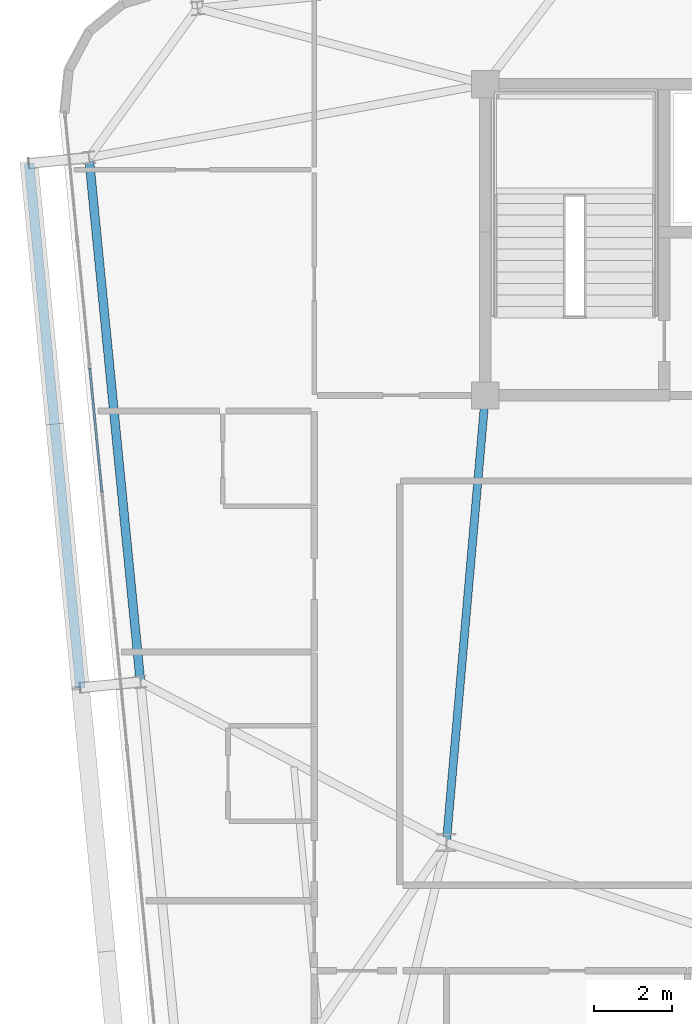
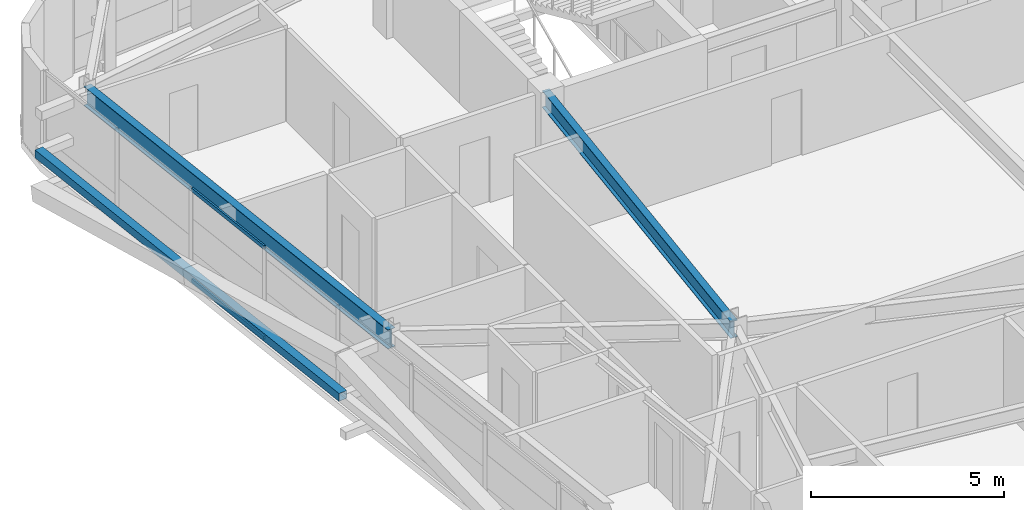
# One storey, part 14 of 53: 3 members, 2 beams, 1 element without a shape of its own.
"""IFC4 building model written with IfcOpenShell, lengths in metres."""

from ifc_helpers import new_model, si_unit, direction, frame, origin, origin_2d, place, context, subcontext, project, spatial, hollow_rectangle, i_section, extrude, source, transform, mapped, material, layer, layer_set, material_profile, profile_set, type_object, element, aggregate, save


model = new_model("IFC4")

# Units and contexts
model_context = context("Model", 3, precision=1e-05, world=origin(), true_north=direction((0.0, 1.0)))
body_context = subcontext(model_context, "Body", "Model", "MODEL_VIEW")
ifc_project = project(units=[si_unit("LENGTHUNIT", "METRE"), si_unit("AREAUNIT", "SQUARE_METRE"), si_unit("VOLUMEUNIT", "CUBIC_METRE"), si_unit("PLANEANGLEUNIT", "RADIAN"), si_unit("MASSUNIT", "GRAM", prefix="KILO")], contexts=[model_context])

# Site, building, storey
site_placement = place(None, origin())
site = spatial("IfcSite", under=ifc_project, at=site_placement, CompositionType="ELEMENT")
building_placement = place(site_placement, origin())
building = spatial("IfcBuilding", under=site, at=building_placement, Name="Taldren Reach Tower", CompositionType="ELEMENT")
storey_placement = place(building_placement, frame((0.0, 0.0, 80.85009765625)))
storey = spatial("IfcBuildingStorey", under=building, at=storey_placement, Name="L24", CompositionType="ELEMENT", Elevation=80.85009765625)

# Beams
ifc_material_1 = material(Name="Steel Gr 350 (350PLUS)", Category="steel")
ifc_material_profile_1 = material_profile(ifc_material_1, i_section(OverallWidth=0.208984375, OverallDepth=0.532958984375, WebThickness=0.01025390625, FlangeThickness=0.015625, at=origin_2d()), Name="530UB92.4")
ifc_profile_set_1 = profile_set([ifc_material_profile_1], Name="Steel Gr 350 (350PLUS)")
beam_type_1 = type_object("IfcBeamType", Name="BM-UB530A", PredefinedType="BEAM", material=ifc_profile_set_1)
shared_shape_1 = source(origin(), body_context, "Body", "SweptSolid", [
    extrude(i_section(OverallWidth=0.208984375, OverallDepth=0.532958984375, WebThickness=0.01025390625, FlangeThickness=0.015625, at=origin_2d()), origin(), (0.0, 0.0, 1.0), 11.54345703125),
])
beam_1_placement = place(storey_placement, frame((19.0, 24.0, 2.663330078125), z_axis=(-0.086629616365, -0.996240588196, 0.0), x_axis=(0.996240588196, -0.086629616365, 0.0)))
element("IfcBeam", 1, at=beam_1_placement, inside=storey, type_object=beam_type_1, Name="Core-spine girder L24-SP09", PredefinedType="BEAM", context=body_context, shape_type="MappedRepresentation", body=[
    mapped(shared_shape_1, transform((0.0, 0.0, 0.0), scale=1.0)),
])
ifc_material_profile_2 = material_profile(ifc_material_1, i_section(OverallWidth=0.22802734375, OverallDepth=0.60205078125, WebThickness=0.010498046875, FlangeThickness=0.014892578125, at=origin_2d()), Name="610UB101")
ifc_profile_set_2 = profile_set([ifc_material_profile_2], Name="Steel Gr 350 (350PLUS)")
beam_type_2 = type_object("IfcBeamType", Name="BM-UB610B", PredefinedType="BEAM", material=ifc_profile_set_2)
shared_shape_2 = source(origin(), body_context, "Body", "SweptSolid", [
    extrude(i_section(OverallWidth=0.22802734375, OverallDepth=0.60205078125, WebThickness=0.010498046875, FlangeThickness=0.014892578125, at=origin_2d()), origin(), (0.0, 0.0, 1.0), 13.550048828125),
])
beam_2_placement = place(storey_placement, frame((8.808349609375, 30.116455078125, 2.62890625), z_axis=(0.097584021339, -0.995227290009, 0.0), x_axis=(0.995227290009, 0.097584021339, 0.0)))
element("IfcBeam", 2, at=beam_2_placement, inside=storey, type_object=beam_type_2, Name="Perimeter gable girder B2 W3-W2 L24", PredefinedType="BEAM", context=body_context, shape_type="MappedRepresentation", body=[
    mapped(shared_shape_2, transform((0.0, 0.0, 0.0), scale=1.0)),
])

# Member
ifc_material_2 = material(Name="Steel Gr 350 (C350L0)", Category="steel")
ifc_material_profile_3 = material_profile(ifc_material_2, hollow_rectangle(XDim=0.25, YDim=0.25, WallThickness=0.010009765625, at=origin_2d()), Name="250x250x10.0SHS")
ifc_profile_set_3 = profile_set([ifc_material_profile_3], Name="Steel Gr 350 (C350L0)")
member_type_1 = type_object("IfcMemberType", Name="MB-POST250", PredefinedType="POST", material=ifc_profile_set_3)
shared_shape_3 = source(origin(), body_context, "Body", "SweptSolid", [
    extrude(hollow_rectangle(XDim=0.25, YDim=0.25, WallThickness=0.010009765625, at=origin_2d()), origin(), (0.0, 0.0, 1.0), 13.550048828125),
])
member_1_placement = place(storey_placement, frame((8.587890625, 16.479736328125, 1.434814453125), z_axis=(-0.097584021339, 0.995227290009, 0.0), x_axis=(-0.995227290009, -0.097584021339, 0.0)))
element("IfcMember", 3, at=member_1_placement, inside=storey, type_object=member_type_1, Name="Exoskeleton mid-height ring chord B2-W2 L24", PredefinedType="POST", context=body_context, shape_type="MappedRepresentation", body=[
    mapped(shared_shape_3, transform((0.0, 0.0, 0.0), scale=1.0)),
])

# Curtain wall, members
ifc_material_3 = material(Name="Aluminium and Low-E Glass Unitised System", Category="aluminium")
ifc_layer = layer(ifc_material_3, 0.159912109375)
ifc_layer_set = layer_set([ifc_layer], Name="Aluminium and Low-E Glass Unitised System")
curtain_wall_type = type_object("IfcCurtainWallType", Name="CW-SYS-3", PredefinedType="NOTDEFINED", material=ifc_layer_set)
curtain_wall_placement = place(storey_placement, origin())
curtain_wall = element("IfcCurtainWall", 4, at=curtain_wall_placement, inside=storey, type_object=curtain_wall_type, Name="Unitised curtain wall CW-L24-W", PredefinedType="NOTDEFINED")
ifc_material_4 = material(Name="Anodised Aluminium 6063-T6", Category="aluminium")
ifc_material_profile_4 = material_profile(ifc_material_4, hollow_rectangle(XDim=0.054931640625, YDim=0.1201171875, WallThickness=0.0029296875, at=origin_2d()), Name="ALU-120x55x3RHS")
ifc_profile_set_4 = profile_set([ifc_material_profile_4], Name="Anodised Aluminium 6063-T6")
member_type_2 = type_object("IfcMemberType", Name="CW-TRN-135", PredefinedType="USERDEFINED", material=ifc_profile_set_4)
shared_shape_4 = source(origin(), body_context, "Body", "SweptSolid", [
    extrude(hollow_rectangle(XDim=0.054931640625, YDim=0.1201171875, WallThickness=0.0029296875, at=origin_2d()), origin(), (0.0, 0.0, 1.0), 3.212890625),
])
member_2_placement = place(storey_placement, frame((8.826416015625, 24.704345703125, 0.02734375), z_axis=(0.097569948235, -0.995228669805, 0.0), x_axis=(0.995228669805, 0.097569948235, 0.0)))
member_2 = element("IfcMember", 5, at=member_2_placement, type_object=member_type_2, Name="CW-3 transom 3.1", ObjectType="TRANSOM", PredefinedType="USERDEFINED", context=body_context, shape_type="MappedRepresentation", body=[
    mapped(shared_shape_4, transform((0.0, 0.0, 0.0), scale=1.0)),
])
member_3_placement = place(storey_placement, frame((8.826416015625, 24.704345703125, 2.90234375), z_axis=(0.097569948235, -0.995228669805, 0.0), x_axis=(0.995228669805, 0.097569948235, 0.0)))
member_3 = element("IfcMember", 6, at=member_3_placement, type_object=member_type_2, Name="CW-3 transom 3.2", ObjectType="TRANSOM", PredefinedType="USERDEFINED", context=body_context, shape_type="MappedRepresentation", body=[
    mapped(shared_shape_4, transform((0.0, 0.0, 0.0), scale=1.0)),
])
aggregate(curtain_wall, [member_2, member_3])

save(model, "model.ifc")
